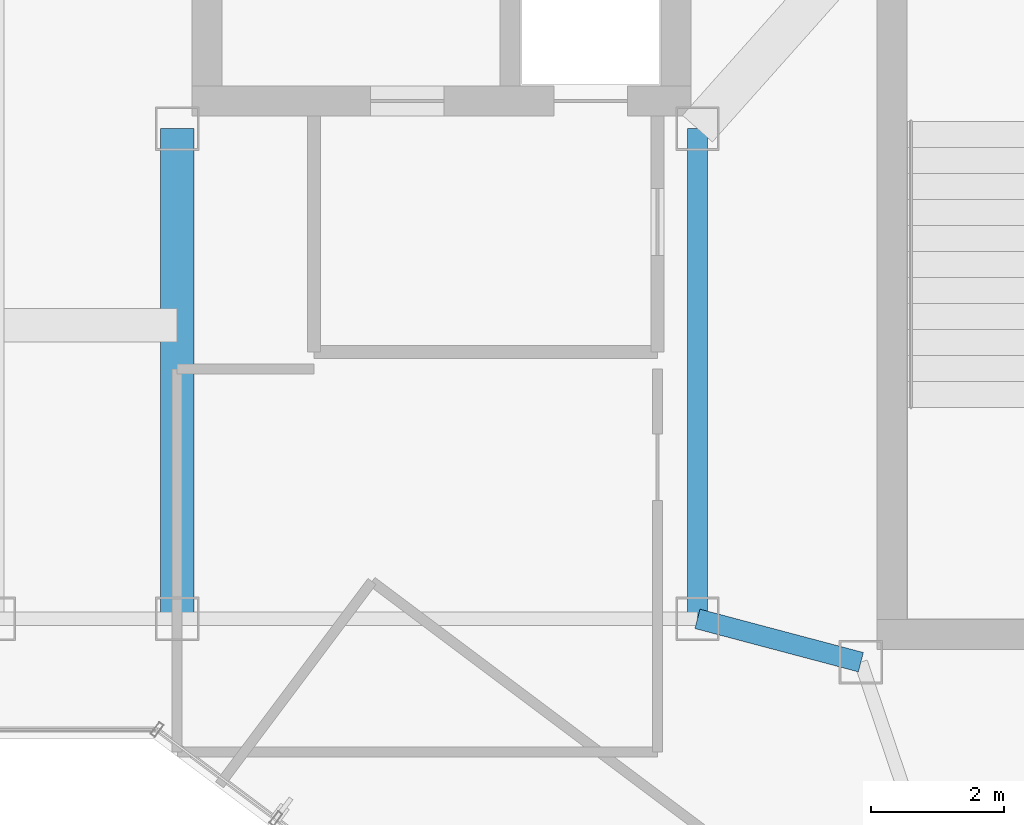
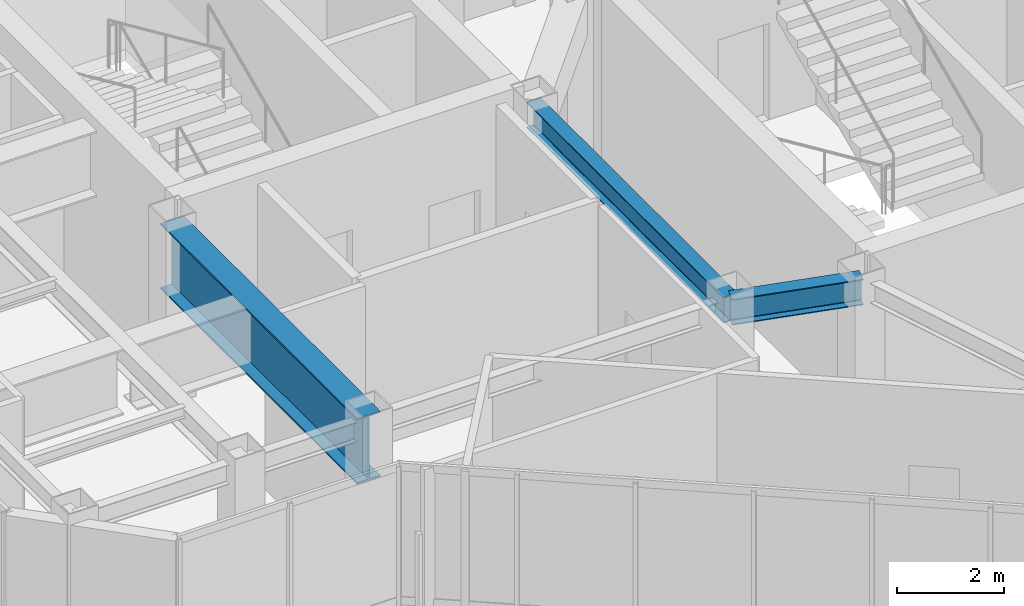
# One storey, part 4 of 22: 3 beams.
"""IFC4 building model written with IfcOpenShell, lengths in metres."""

from ifc_helpers import new_model, si_unit, direction, frame, origin, origin_2d, place, context, subcontext, project, spatial, i_section, extrude, material, material_profile, profile_set, type_object, element, save


model = new_model("IFC4")

# Units and contexts
model_context = context("Model", 3, precision=1e-05, world=origin(), true_north=direction((0.0, 1.0)))
body_context = subcontext(model_context, "Body", "Model", "MODEL_VIEW")
ifc_project = project(units=[si_unit("LENGTHUNIT", "METRE"), si_unit("AREAUNIT", "SQUARE_METRE"), si_unit("VOLUMEUNIT", "CUBIC_METRE"), si_unit("PLANEANGLEUNIT", "RADIAN"), si_unit("MASSUNIT", "GRAM", prefix="KILO")], contexts=[model_context])

# Site, building, storey
site_placement = place(None, origin())
site = spatial("IfcSite", under=ifc_project, at=site_placement, CompositionType="ELEMENT")
building_placement = place(site_placement, origin())
building = spatial("IfcBuilding", under=site, at=building_placement, Name="Hatsunagi Terrace Concourse", CompositionType="ELEMENT")
storey_placement = place(building_placement, frame((0.0, 0.0, 257.550048828125)))
storey = spatial("IfcBuildingStorey", under=building, at=storey_placement, Name="L68", CompositionType="ELEMENT", Elevation=257.550048828125)

# Beams
ifc_material_1 = material(Name="Steel SN490B", Category="steel")
ifc_material_profile_1 = material_profile(ifc_material_1, i_section(OverallWidth=0.300048828125, OverallDepth=0.587890625, WebThickness=0.011962890625, FlangeThickness=0.02001953125, FilletRadius=0.01806640625, at=origin_2d()), Name="H-588x300x12x20")
ifc_profile_set_1 = profile_set([ifc_material_profile_1], Name="Steel SN490B")
beam_type_1 = type_object("IfcBeamType", Name="OfficeHighGirder_H_588x300", PredefinedType="BEAM", material=ifc_profile_set_1)
beam_1_placement = place(storey_placement, frame((33.35009765625, 25.199951171875, 3.656005859375), z_axis=(0.0, 1.0, 0.0), x_axis=(-1.0, 0.0, 0.0)))
element("IfcBeam", 1, at=beam_1_placement, inside=storey, type_object=beam_type_1, Name="Beam G-06 BM-L68-K2CA", PredefinedType="BEAM", context=body_context, shape_type="SweptSolid", body=[
    extrude(i_section(OverallWidth=0.300048828125, OverallDepth=0.587890625, WebThickness=0.011962890625, FlangeThickness=0.02001953125, FilletRadius=0.01806640625, at=origin_2d()), origin(), (0.0, 0.0, 1.0), 7.35009765625),
])
beam_2_placement = place(storey_placement, frame((33.35009765625, 25.199951171875, 3.656005859375), z_axis=(0.966569840116, -0.256403479262, 0.0), x_axis=(0.256403479262, 0.966569840116, 0.0)))
element("IfcBeam", 2, at=beam_2_placement, inside=storey, type_object=beam_type_1, Name="Beam G-06 BM-L68-K2CB", PredefinedType="BEAM", context=body_context, shape_type="SweptSolid", body=[
    extrude(i_section(OverallWidth=0.300048828125, OverallDepth=0.587890625, WebThickness=0.011962890625, FlangeThickness=0.02001953125, FilletRadius=0.01806640625, at=origin_2d()), origin(), (0.0, 0.0, 1.0), 2.53466796875),
])
ifc_material_2 = material(Name="Steel SN490C", Category="steel")
ifc_material_profile_2 = material_profile(ifc_material_2, i_section(OverallWidth=0.5, OverallDepth=1.5, WebThickness=0.028076171875, FlangeThickness=0.0380859375, at=origin_2d()), Name="BH-1500x500x28x38")
ifc_profile_set_2 = profile_set([ifc_material_profile_2], Name="Steel SN490C")
beam_type_2 = type_object("IfcBeamType", Name="SkyLoungeTrussGirder_BH_1500x500x28x38", PredefinedType="USERDEFINED", material=ifc_profile_set_2)
beam_3_placement = place(storey_placement, frame((25.550048828125, 25.199951171875, 3.199951171875), z_axis=(0.0, 1.0, 0.0), x_axis=(-1.0, 0.0, 0.0)))
element("IfcBeam", 3, at=beam_3_placement, inside=storey, type_object=beam_type_2, Name="Transfer girder SLT-01 BM-L68-K1CA", ObjectType="TRANSFER_GIRDER", PredefinedType="USERDEFINED", context=body_context, shape_type="SweptSolid", body=[
    extrude(i_section(OverallWidth=0.5, OverallDepth=1.5, WebThickness=0.028076171875, FlangeThickness=0.0380859375, at=origin_2d()), origin(), (0.0, 0.0, 1.0), 7.35009765625),
])

save(model, "model.ifc")
